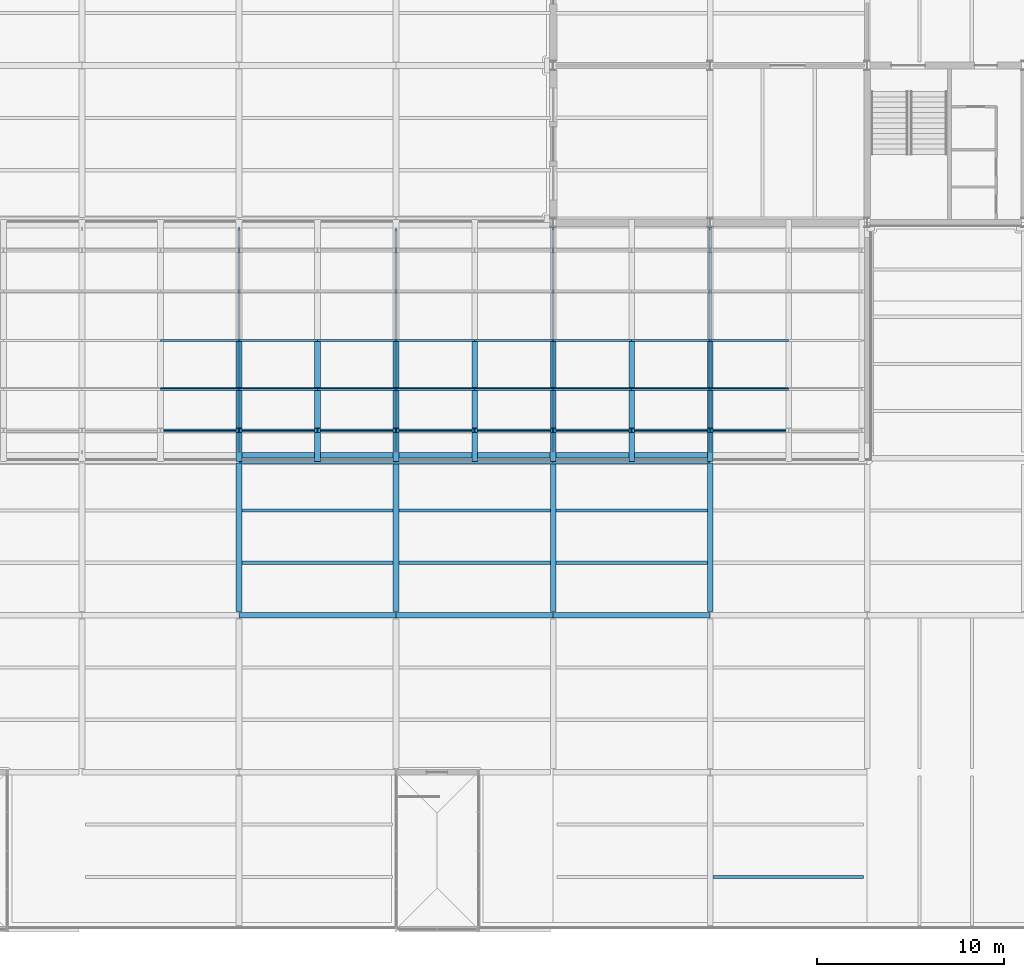
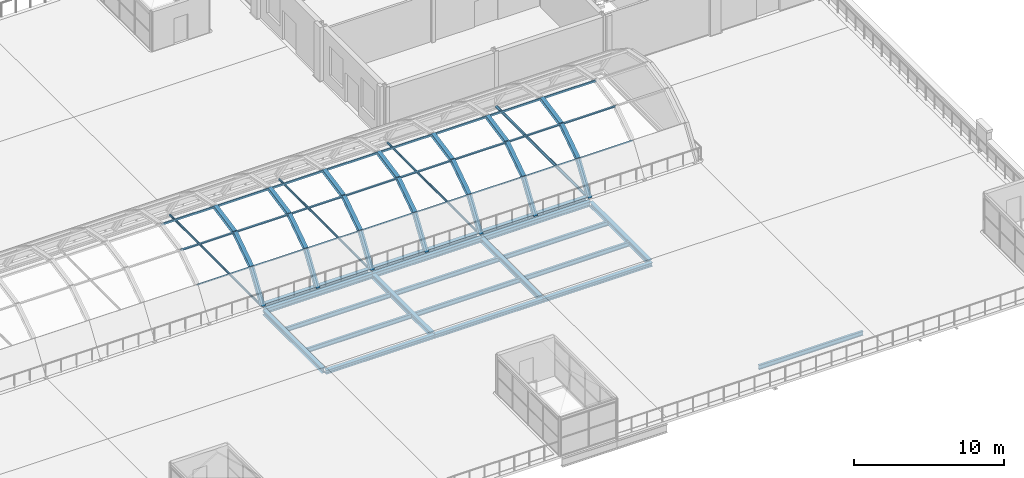
# One storey, part 24 of 58: 49 members, 20 beams.
"""IFC4 building model written with IfcOpenShell, lengths in metres."""

from ifc_helpers import new_model, si_unit, direction, frame, origin, origin_2d, place, context, subcontext, project, spatial, hollow_rectangle, hollow_circle, i_section, extrude, material, material_profile, profile_set, type_object, element, save


model = new_model("IFC4")

# Units and contexts
model_context = context("Model", 3, precision=1e-05, world=origin(), true_north=direction((0.0, 1.0)))
body_context = subcontext(model_context, "Body", "Model", "MODEL_VIEW")
ifc_project = project(units=[si_unit("LENGTHUNIT", "METRE"), si_unit("AREAUNIT", "SQUARE_METRE"), si_unit("VOLUMEUNIT", "CUBIC_METRE"), si_unit("PLANEANGLEUNIT", "RADIAN"), si_unit("MASSUNIT", "GRAM", prefix="KILO")], contexts=[model_context])

# Site, building, storey
site_placement = place(None, origin())
site = spatial("IfcSite", under=ifc_project, at=site_placement, CompositionType="ELEMENT")
building_placement = place(site_placement, origin())
building = spatial("IfcBuilding", under=site, at=building_placement, Name="Galleria Vessillo Department Store", CompositionType="ELEMENT")
storey_placement = place(building_placement, frame((0.0, 0.0, 31.199951171875)))
storey = spatial("IfcBuildingStorey", under=building, at=storey_placement, Name="L06", CompositionType="ELEMENT", Elevation=31.199951171875)

# Beams
ifc_material_1 = material(Name="Steel S355 J2", Category="steel")
ifc_material_profile_1 = material_profile(ifc_material_1, i_section(OverallWidth=0.300048828125, OverallDepth=0.389892578125, WebThickness=0.010986328125, FlangeThickness=0.01904296875, FilletRadius=0.027099609375, at=origin_2d()), Name="HEA 400")
ifc_profile_set_1 = profile_set([ifc_material_profile_1], Name="Steel S355 J2")
beam_type_1 = type_object("IfcBeamType", Name="Floor girder HEA 400", PredefinedType="BEAM", material=ifc_profile_set_1)
beam_1_placement = place(storey_placement, frame((67.199951171875, 17.000244140625, -0.39501953125), z_axis=(0.0, 1.0, 0.0), x_axis=(-1.0, 0.0, 0.0)))
element("IfcBeam", 1, at=beam_1_placement, inside=storey, type_object=beam_type_1, Name="S-BM-L06-GI-y67200-17000", PredefinedType="BEAM", context=body_context, shape_type="SweptSolid", body=[
    extrude(i_section(OverallWidth=0.300048828125, OverallDepth=0.389892578125, WebThickness=0.010986328125, FlangeThickness=0.01904296875, FilletRadius=0.027099609375, at=origin_2d()), origin(), (0.0, 0.0, 1.0), 7.937744140625),
])
for number, where, z_axis, x_axis, name in (
    (2, (75.60009765625, 17.000244140625, -0.39501953125), (0.0, 1.0, 0.0), (-1.0, 0.0, 0.0), "S-BM-L06-GI-y75600-17000"),
    (3, (84.0, 17.000244140625, -0.39501953125), (0.0, 1.0, 0.0), (-1.0, 0.0, 0.0), "S-BM-L06-GI-y84000-17000"),
):
    element("IfcBeam", number, at=place(storey_placement, frame(where, z_axis=z_axis, x_axis=x_axis)), inside=storey, type_object=beam_type_1, Name=name, PredefinedType="BEAM", context=body_context, shape_type="SweptSolid", body=[
        extrude(i_section(OverallWidth=0.300048828125, OverallDepth=0.389892578125, WebThickness=0.010986328125, FlangeThickness=0.01904296875, FilletRadius=0.027099609375, at=origin_2d()), origin(), (0.0, 0.0, 1.0), 7.8896484375),
    ])
beam_2_placement = place(storey_placement, frame((92.39990234375, 17.000244140625, -0.39501953125), z_axis=(0.0, 1.0, 0.0), x_axis=(-1.0, 0.0, 0.0)))
element("IfcBeam", 4, at=beam_2_placement, inside=storey, type_object=beam_type_1, Name="S-BM-L06-GI-y92400-17000", PredefinedType="BEAM", context=body_context, shape_type="SweptSolid", body=[
    extrude(i_section(OverallWidth=0.300048828125, OverallDepth=0.389892578125, WebThickness=0.010986328125, FlangeThickness=0.01904296875, FilletRadius=0.027099609375, at=origin_2d()), origin(), (0.0, 0.0, 1.0), 7.937744140625),
])
ifc_material_2 = material(Name="Steel S355 J2", Category="steel")
ifc_material_profile_2 = material_profile(ifc_material_2, i_section(OverallWidth=0.169921875, OverallDepth=0.360107421875, WebThickness=0.008056640625, FlangeThickness=0.0126953125, FilletRadius=0.01806640625, at=origin_2d()), Name="IPE 360")
ifc_profile_set_2 = profile_set([ifc_material_profile_2], Name="Steel S355 J2")
beam_type_2 = type_object("IfcBeamType", Name="Floor joist IPE 360", PredefinedType="JOIST", material=ifc_profile_set_2)
for number, where, z_axis, x_axis, name in (
    (5, (67.35009765625, 19.60009765625, -0.3798828125), (1.0, 0.0, 0.0), (0.0, 1.0, 0.0), "S-BM-L06-JO-x19600-67350"),
    (6, (67.35009765625, 22.39990234375, -0.3798828125), (1.0, 0.0, 0.0), (0.0, 1.0, 0.0), "S-BM-L06-JO-x22400-67350"),
):
    element("IfcBeam", number, at=place(storey_placement, frame(where, z_axis=z_axis, x_axis=x_axis)), inside=storey, type_object=beam_type_2, Name=name, PredefinedType="JOIST", context=body_context, shape_type="SweptSolid", body=[
        extrude(i_section(OverallWidth=0.169921875, OverallDepth=0.360107421875, WebThickness=0.008056640625, FlangeThickness=0.0126953125, FilletRadius=0.01806640625, at=origin_2d()), origin(), (0.0, 0.0, 1.0), 8.099853515625),
    ])
for number, where, z_axis, x_axis, name in (
    (7, (75.750244140625, 19.60009765625, -0.3798828125), (1.0, 0.0, 0.0), (0.0, 1.0, 0.0), "S-BM-L06-JO-x19600-75750"),
    (8, (75.750244140625, 22.39990234375, -0.3798828125), (1.0, 0.0, 0.0), (0.0, 1.0, 0.0), "S-BM-L06-JO-x22400-75750"),
    (9, (84.150146484375, 19.60009765625, -0.3798828125), (1.0, 0.0, 0.0), (0.0, 1.0, 0.0), "S-BM-L06-JO-x19600-84150"),
    (10, (84.150146484375, 22.39990234375, -0.3798828125), (1.0, 0.0, 0.0), (0.0, 1.0, 0.0), "S-BM-L06-JO-x22400-84150"),
):
    element("IfcBeam", number, at=place(storey_placement, frame(where, z_axis=z_axis, x_axis=x_axis)), inside=storey, type_object=beam_type_2, Name=name, PredefinedType="JOIST", context=body_context, shape_type="SweptSolid", body=[
        extrude(i_section(OverallWidth=0.169921875, OverallDepth=0.360107421875, WebThickness=0.008056640625, FlangeThickness=0.0126953125, FilletRadius=0.01806640625, at=origin_2d()), origin(), (0.0, 0.0, 1.0), 8.099609375),
    ])
beam_3_placement = place(storey_placement, frame((92.550048828125, 2.800048828125, -0.3798828125), z_axis=(1.0, 0.0, 0.0), x_axis=(0.0, 1.0, 0.0)))
element("IfcBeam", 11, at=beam_3_placement, inside=storey, type_object=beam_type_2, Name="S-BM-L06-JO-x2800-92550", PredefinedType="JOIST", context=body_context, shape_type="SweptSolid", body=[
    extrude(i_section(OverallWidth=0.169921875, OverallDepth=0.360107421875, WebThickness=0.008056640625, FlangeThickness=0.0126953125, FilletRadius=0.01806640625, at=origin_2d()), origin(), (0.0, 0.0, 1.0), 8.0498046875),
])
ifc_material_3 = material(Name="Steel S355 J2", Category="steel")
ifc_material_profile_3 = material_profile(ifc_material_3, i_section(OverallWidth=0.300048828125, OverallDepth=0.31005859375, WebThickness=0.009033203125, FlangeThickness=0.015380859375, FilletRadius=0.027099609375, at=origin_2d()), Name="HEA 320")
ifc_profile_set_3 = profile_set([ifc_material_profile_3], Name="Steel S355 J2")
beam_type_3 = type_object("IfcBeamType", Name="Floor tie girder HEA 320", PredefinedType="BEAM", material=ifc_profile_set_3)
for number, where, z_axis, x_axis, name in (
    (12, (67.206787109375, 16.800048828125, -0.35498046875), (1.0, 0.0, 0.0), (0.0, 1.0, 0.0), "S-BM-L06-TI-x16800-67207"),
    (13, (75.60693359375, 16.800048828125, -0.35498046875), (1.0, 0.0, 0.0), (0.0, 1.0, 0.0), "S-BM-L06-TI-x16800-75607"),
    (14, (84.0068359375, 16.800048828125, -0.35498046875), (1.0, 0.0, 0.0), (0.0, 1.0, 0.0), "S-BM-L06-TI-x16800-84007"),
):
    element("IfcBeam", number, at=place(storey_placement, frame(where, z_axis=z_axis, x_axis=x_axis)), inside=storey, type_object=beam_type_3, Name=name, PredefinedType="BEAM", context=body_context, shape_type="SweptSolid", body=[
        extrude(i_section(OverallWidth=0.300048828125, OverallDepth=0.31005859375, WebThickness=0.009033203125, FlangeThickness=0.015380859375, FilletRadius=0.027099609375, at=origin_2d()), origin(), (0.0, 0.0, 1.0), 8.38623046875),
    ])
ifc_material_4 = material(Name="Steel S355 J2", Category="steel")
ifc_material_profile_4 = material_profile(ifc_material_4, i_section(OverallWidth=0.300048828125, OverallDepth=0.389892578125, WebThickness=0.010986328125, FlangeThickness=0.01904296875, FilletRadius=0.027099609375, at=origin_2d()), Name="HEA 400")
ifc_profile_set_4 = profile_set([ifc_material_profile_4], Name="Steel S355 J2")
beam_type_4 = type_object("IfcBeamType", Name="Trimmer beam HEA 400", PredefinedType="BEAM", material=ifc_profile_set_4)
for number, where, z_axis, x_axis, name in (
    (15, (67.210693359375, 25.050048828125, -0.39501953125), (1.0, 0.0, 0.0), (0.0, 1.0, 0.0), "S-BM-L06-TR-x25050-67211"),
    (16, (75.610595703125, 25.050048828125, -0.39501953125), (1.0, 0.0, 0.0), (0.0, 1.0, 0.0), "S-BM-L06-TR-x25050-75611"),
    (17, (84.0107421875, 25.050048828125, -0.39501953125), (1.0, 0.0, 0.0), (0.0, 1.0, 0.0), "S-BM-L06-TR-x25050-84011"),
):
    element("IfcBeam", number, at=place(storey_placement, frame(where, z_axis=z_axis, x_axis=x_axis)), inside=storey, type_object=beam_type_4, Name=name, PredefinedType="BEAM", context=body_context, shape_type="SweptSolid", body=[
        extrude(i_section(OverallWidth=0.300048828125, OverallDepth=0.389892578125, WebThickness=0.010986328125, FlangeThickness=0.01904296875, FilletRadius=0.027099609375, at=origin_2d()), origin(), (0.0, 0.0, 1.0), 8.378662109375),
    ])

# Members
ifc_material_5 = material(Name="Steel S355 J2", Category="steel")
ifc_material_profile_5 = material_profile(ifc_material_5, hollow_rectangle(XDim=0.10009765625, YDim=0.14990234375, WallThickness=0.008056640625, at=origin_2d()), Name="RHS 150x100x8")
ifc_profile_set_5 = profile_set([ifc_material_profile_5], Name="Steel S355 J2")
member_type_1 = type_object("IfcMemberType", Name="Vault purlin RHS 150x100x8", PredefinedType="PURLIN", material=ifc_profile_set_5)
for number, where, z_axis, x_axis, name in (
    (18, (63.004150390625, 26.6806640625, 2.207763671875), (1.0, 0.0, 0.0), (0.0, 0.708077368705, 0.70613485959), "S-VP-1-12"),
    (19, (67.2041015625, 26.6806640625, 2.207763671875), (1.0, 0.0, 0.0), (0.0, 0.708077368705, 0.70613485959), "S-VP-1-13"),
):
    element("IfcMember", number, at=place(storey_placement, frame(where, z_axis=z_axis, x_axis=x_axis)), inside=storey, type_object=member_type_1, Name=name, PredefinedType="PURLIN", context=body_context, shape_type="SweptSolid", body=[
        extrude(hollow_rectangle(XDim=0.10009765625, YDim=0.14990234375, WallThickness=0.008056640625, at=origin_2d()), origin(), (0.0, 0.0, 1.0), 4.191650390625),
    ])
member_1_placement = place(storey_placement, frame((71.404052734375, 26.6806640625, 2.207763671875), z_axis=(1.0, 0.0, 0.0), x_axis=(0.0, 0.708077368705, 0.70613485959)))
element("IfcMember", 20, at=member_1_placement, inside=storey, type_object=member_type_1, Name="S-VP-1-14", PredefinedType="PURLIN", context=body_context, shape_type="SweptSolid", body=[
    extrude(hollow_rectangle(XDim=0.10009765625, YDim=0.14990234375, WallThickness=0.008056640625, at=origin_2d()), origin(), (0.0, 0.0, 1.0), 4.19189453125),
])
for number, where, z_axis, x_axis, name in (
    (21, (75.604248046875, 26.6806640625, 2.207763671875), (1.0, 0.0, 0.0), (0.0, 0.708077368705, 0.70613485959), "S-VP-1-15"),
    (22, (79.80419921875, 26.6806640625, 2.207763671875), (1.0, 0.0, 0.0), (0.0, 0.708077368705, 0.70613485959), "S-VP-1-16"),
    (23, (84.004150390625, 26.6806640625, 2.207763671875), (1.0, 0.0, 0.0), (0.0, 0.708077368705, 0.70613485959), "S-VP-1-17"),
    (24, (88.2041015625, 26.6806640625, 2.207763671875), (1.0, 0.0, 0.0), (0.0, 0.708077368705, 0.70613485959), "S-VP-1-18"),
):
    element("IfcMember", number, at=place(storey_placement, frame(where, z_axis=z_axis, x_axis=x_axis)), inside=storey, type_object=member_type_1, Name=name, PredefinedType="PURLIN", context=body_context, shape_type="SweptSolid", body=[
        extrude(hollow_rectangle(XDim=0.10009765625, YDim=0.14990234375, WallThickness=0.008056640625, at=origin_2d()), origin(), (0.0, 0.0, 1.0), 4.191650390625),
    ])
member_2_placement = place(storey_placement, frame((92.404052734375, 26.6806640625, 2.207763671875), z_axis=(1.0, 0.0, 0.0), x_axis=(0.0, 0.708077368705, 0.70613485959)))
element("IfcMember", 25, at=member_2_placement, inside=storey, type_object=member_type_1, Name="S-VP-1-19", PredefinedType="PURLIN", context=body_context, shape_type="SweptSolid", body=[
    extrude(hollow_rectangle(XDim=0.10009765625, YDim=0.14990234375, WallThickness=0.008056640625, at=origin_2d()), origin(), (0.0, 0.0, 1.0), 4.19189453125),
])
for number, where, z_axis, x_axis, name in (
    (26, (63.004150390625, 28.892578125, 3.682373046875), (1.0, 0.0, 0.0), (0.0, 0.924144726715, 0.38204256842), "S-VP-2-12"),
    (27, (67.2041015625, 28.892578125, 3.682373046875), (1.0, 0.0, 0.0), (0.0, 0.924144726715, 0.38204256842), "S-VP-2-13"),
):
    element("IfcMember", number, at=place(storey_placement, frame(where, z_axis=z_axis, x_axis=x_axis)), inside=storey, type_object=member_type_1, Name=name, PredefinedType="PURLIN", context=body_context, shape_type="SweptSolid", body=[
        extrude(hollow_rectangle(XDim=0.10009765625, YDim=0.14990234375, WallThickness=0.008056640625, at=origin_2d()), origin(), (0.0, 0.0, 1.0), 4.191650390625),
    ])
member_3_placement = place(storey_placement, frame((71.404052734375, 28.892578125, 3.682373046875), z_axis=(1.0, 0.0, 0.0), x_axis=(0.0, 0.924144726715, 0.38204256842)))
element("IfcMember", 28, at=member_3_placement, inside=storey, type_object=member_type_1, Name="S-VP-2-14", PredefinedType="PURLIN", context=body_context, shape_type="SweptSolid", body=[
    extrude(hollow_rectangle(XDim=0.10009765625, YDim=0.14990234375, WallThickness=0.008056640625, at=origin_2d()), origin(), (0.0, 0.0, 1.0), 4.19189453125),
])
for number, where, z_axis, x_axis, name in (
    (29, (75.604248046875, 28.892578125, 3.682373046875), (1.0, 0.0, 0.0), (0.0, 0.924144726715, 0.38204256842), "S-VP-2-15"),
    (30, (79.80419921875, 28.892578125, 3.682373046875), (1.0, 0.0, 0.0), (0.0, 0.924144726715, 0.38204256842), "S-VP-2-16"),
    (31, (84.004150390625, 28.892578125, 3.682373046875), (1.0, 0.0, 0.0), (0.0, 0.924144726715, 0.38204256842), "S-VP-2-17"),
    (32, (88.2041015625, 28.892578125, 3.682373046875), (1.0, 0.0, 0.0), (0.0, 0.924144726715, 0.38204256842), "S-VP-2-18"),
):
    element("IfcMember", number, at=place(storey_placement, frame(where, z_axis=z_axis, x_axis=x_axis)), inside=storey, type_object=member_type_1, Name=name, PredefinedType="PURLIN", context=body_context, shape_type="SweptSolid", body=[
        extrude(hollow_rectangle(XDim=0.10009765625, YDim=0.14990234375, WallThickness=0.008056640625, at=origin_2d()), origin(), (0.0, 0.0, 1.0), 4.191650390625),
    ])
member_4_placement = place(storey_placement, frame((92.404052734375, 28.892578125, 3.682373046875), z_axis=(1.0, 0.0, 0.0), x_axis=(0.0, 0.924144726715, 0.38204256842)))
element("IfcMember", 33, at=member_4_placement, inside=storey, type_object=member_type_1, Name="S-VP-2-19", PredefinedType="PURLIN", context=body_context, shape_type="SweptSolid", body=[
    extrude(hollow_rectangle(XDim=0.10009765625, YDim=0.14990234375, WallThickness=0.008056640625, at=origin_2d()), origin(), (0.0, 0.0, 1.0), 4.19189453125),
])
for number, where, z_axis, x_axis, name in (
    (34, (63.004150390625, 31.5, 4.199951171875), (1.0, 0.0, 0.0), (0.0, 1.0, 0.0), "S-VP-3-12"),
    (35, (67.2041015625, 31.5, 4.199951171875), (1.0, 0.0, 0.0), (0.0, 1.0, 0.0), "S-VP-3-13"),
):
    element("IfcMember", number, at=place(storey_placement, frame(where, z_axis=z_axis, x_axis=x_axis)), inside=storey, type_object=member_type_1, Name=name, PredefinedType="PURLIN", context=body_context, shape_type="SweptSolid", body=[
        extrude(hollow_rectangle(XDim=0.10009765625, YDim=0.14990234375, WallThickness=0.008056640625, at=origin_2d()), origin(), (0.0, 0.0, 1.0), 4.191650390625),
    ])
member_5_placement = place(storey_placement, frame((71.404052734375, 31.5, 4.199951171875), z_axis=(1.0, 0.0, 0.0), x_axis=(0.0, 1.0, 0.0)))
element("IfcMember", 36, at=member_5_placement, inside=storey, type_object=member_type_1, Name="S-VP-3-14", PredefinedType="PURLIN", context=body_context, shape_type="SweptSolid", body=[
    extrude(hollow_rectangle(XDim=0.10009765625, YDim=0.14990234375, WallThickness=0.008056640625, at=origin_2d()), origin(), (0.0, 0.0, 1.0), 4.19189453125),
])
for number, where, z_axis, x_axis, name in (
    (37, (75.604248046875, 31.5, 4.199951171875), (1.0, 0.0, 0.0), (0.0, 1.0, 0.0), "S-VP-3-15"),
    (38, (79.80419921875, 31.5, 4.199951171875), (1.0, 0.0, 0.0), (0.0, 1.0, 0.0), "S-VP-3-16"),
    (39, (84.004150390625, 31.5, 4.199951171875), (1.0, 0.0, 0.0), (0.0, 1.0, 0.0), "S-VP-3-17"),
    (40, (88.2041015625, 31.5, 4.199951171875), (1.0, 0.0, 0.0), (0.0, 1.0, 0.0), "S-VP-3-18"),
):
    element("IfcMember", number, at=place(storey_placement, frame(where, z_axis=z_axis, x_axis=x_axis)), inside=storey, type_object=member_type_1, Name=name, PredefinedType="PURLIN", context=body_context, shape_type="SweptSolid", body=[
        extrude(hollow_rectangle(XDim=0.10009765625, YDim=0.14990234375, WallThickness=0.008056640625, at=origin_2d()), origin(), (0.0, 0.0, 1.0), 4.191650390625),
    ])
member_6_placement = place(storey_placement, frame((92.404052734375, 31.5, 4.199951171875), z_axis=(1.0, 0.0, 0.0), x_axis=(0.0, 1.0, 0.0)))
element("IfcMember", 41, at=member_6_placement, inside=storey, type_object=member_type_1, Name="S-VP-3-19", PredefinedType="PURLIN", context=body_context, shape_type="SweptSolid", body=[
    extrude(hollow_rectangle(XDim=0.10009765625, YDim=0.14990234375, WallThickness=0.008056640625, at=origin_2d()), origin(), (0.0, 0.0, 1.0), 4.19189453125),
])
ifc_material_6 = material(Name="Steel S355 J2", Category="steel")
ifc_material_profile_6 = material_profile(ifc_material_6, i_section(OverallWidth=0.300048828125, OverallDepth=0.2900390625, WebThickness=0.008544921875, FlangeThickness=0.013916015625, FilletRadius=0.027099609375, at=origin_2d()), Name="HEA 300")
ifc_profile_set_6 = profile_set([ifc_material_profile_6], Name="Steel S355 J2")
member_type_2 = type_object("IfcMemberType", Name="Vault rib HEA 300", PredefinedType="RAFTER", material=ifc_profile_set_6)
member_7_placement = place(storey_placement, frame((67.199951171875, 25.145751953125, -0.080810546875), z_axis=(0.0, 0.557008391095, 0.830506864661), x_axis=(-1.0, 0.0, 0.0)))
element("IfcMember", 42, at=member_7_placement, inside=storey, type_object=member_type_2, Name="S-VR-13-1", PredefinedType="RAFTER", context=body_context, shape_type="SweptSolid", body=[
    extrude(i_section(OverallWidth=0.300048828125, OverallDepth=0.2900390625, WebThickness=0.008544921875, FlangeThickness=0.013916015625, FilletRadius=0.027099609375, at=origin_2d()), origin(), (0.0, 0.0, 1.0), 2.755615234375),
])
member_8_placement = place(storey_placement, frame((67.199951171875, 26.6806640625, 2.207763671875), z_axis=(0.0, 0.832050294338, 0.554700196225), x_axis=(-1.0, 0.0, 0.0)))
element("IfcMember", 43, at=member_8_placement, inside=storey, type_object=member_type_2, Name="S-VR-13-2", PredefinedType="RAFTER", context=body_context, shape_type="SweptSolid", body=[
    extrude(i_section(OverallWidth=0.300048828125, OverallDepth=0.2900390625, WebThickness=0.008544921875, FlangeThickness=0.013916015625, FilletRadius=0.027099609375, at=origin_2d()), origin(), (0.0, 0.0, 1.0), 2.658447265625),
])
member_9_placement = place(storey_placement, frame((67.199951171875, 28.892578125, 3.682373046875), z_axis=(0.0, 0.980862245521, 0.194702992557), x_axis=(-1.0, 0.0, 0.0)))
element("IfcMember", 44, at=member_9_placement, inside=storey, type_object=member_type_2, Name="S-VR-13-3", PredefinedType="RAFTER", context=body_context, shape_type="SweptSolid", body=[
    extrude(i_section(OverallWidth=0.300048828125, OverallDepth=0.2900390625, WebThickness=0.008544921875, FlangeThickness=0.013916015625, FilletRadius=0.027099609375, at=origin_2d()), origin(), (0.0, 0.0, 1.0), 2.658203125),
])
member_10_placement = place(storey_placement, frame((71.39990234375, 25.145751953125, -0.080810546875), z_axis=(0.0, 0.557008391095, 0.830506864661), x_axis=(-1.0, 0.0, 0.0)))
element("IfcMember", 45, at=member_10_placement, inside=storey, type_object=member_type_2, Name="S-VR-14-1", PredefinedType="RAFTER", context=body_context, shape_type="SweptSolid", body=[
    extrude(i_section(OverallWidth=0.300048828125, OverallDepth=0.2900390625, WebThickness=0.008544921875, FlangeThickness=0.013916015625, FilletRadius=0.027099609375, at=origin_2d()), origin(), (0.0, 0.0, 1.0), 2.755615234375),
])
member_11_placement = place(storey_placement, frame((71.39990234375, 26.6806640625, 2.207763671875), z_axis=(0.0, 0.832050294338, 0.554700196225), x_axis=(-1.0, 0.0, 0.0)))
element("IfcMember", 46, at=member_11_placement, inside=storey, type_object=member_type_2, Name="S-VR-14-2", PredefinedType="RAFTER", context=body_context, shape_type="SweptSolid", body=[
    extrude(i_section(OverallWidth=0.300048828125, OverallDepth=0.2900390625, WebThickness=0.008544921875, FlangeThickness=0.013916015625, FilletRadius=0.027099609375, at=origin_2d()), origin(), (0.0, 0.0, 1.0), 2.658447265625),
])
member_12_placement = place(storey_placement, frame((71.39990234375, 28.892578125, 3.682373046875), z_axis=(0.0, 0.980862245521, 0.194702992557), x_axis=(-1.0, 0.0, 0.0)))
element("IfcMember", 47, at=member_12_placement, inside=storey, type_object=member_type_2, Name="S-VR-14-3", PredefinedType="RAFTER", context=body_context, shape_type="SweptSolid", body=[
    extrude(i_section(OverallWidth=0.300048828125, OverallDepth=0.2900390625, WebThickness=0.008544921875, FlangeThickness=0.013916015625, FilletRadius=0.027099609375, at=origin_2d()), origin(), (0.0, 0.0, 1.0), 2.658203125),
])
member_13_placement = place(storey_placement, frame((75.60009765625, 25.145751953125, -0.080810546875), z_axis=(0.0, 0.557008391095, 0.830506864661), x_axis=(-1.0, 0.0, 0.0)))
element("IfcMember", 48, at=member_13_placement, inside=storey, type_object=member_type_2, Name="S-VR-15-1", PredefinedType="RAFTER", context=body_context, shape_type="SweptSolid", body=[
    extrude(i_section(OverallWidth=0.300048828125, OverallDepth=0.2900390625, WebThickness=0.008544921875, FlangeThickness=0.013916015625, FilletRadius=0.027099609375, at=origin_2d()), origin(), (0.0, 0.0, 1.0), 2.755615234375),
])
member_14_placement = place(storey_placement, frame((75.60009765625, 26.6806640625, 2.207763671875), z_axis=(0.0, 0.832050294338, 0.554700196225), x_axis=(-1.0, 0.0, 0.0)))
element("IfcMember", 49, at=member_14_placement, inside=storey, type_object=member_type_2, Name="S-VR-15-2", PredefinedType="RAFTER", context=body_context, shape_type="SweptSolid", body=[
    extrude(i_section(OverallWidth=0.300048828125, OverallDepth=0.2900390625, WebThickness=0.008544921875, FlangeThickness=0.013916015625, FilletRadius=0.027099609375, at=origin_2d()), origin(), (0.0, 0.0, 1.0), 2.658447265625),
])
member_15_placement = place(storey_placement, frame((75.60009765625, 28.892578125, 3.682373046875), z_axis=(0.0, 0.980862245521, 0.194702992557), x_axis=(-1.0, 0.0, 0.0)))
element("IfcMember", 50, at=member_15_placement, inside=storey, type_object=member_type_2, Name="S-VR-15-3", PredefinedType="RAFTER", context=body_context, shape_type="SweptSolid", body=[
    extrude(i_section(OverallWidth=0.300048828125, OverallDepth=0.2900390625, WebThickness=0.008544921875, FlangeThickness=0.013916015625, FilletRadius=0.027099609375, at=origin_2d()), origin(), (0.0, 0.0, 1.0), 2.658203125),
])
member_16_placement = place(storey_placement, frame((79.800048828125, 25.145751953125, -0.080810546875), z_axis=(0.0, 0.557008391095, 0.830506864661), x_axis=(-1.0, 0.0, 0.0)))
element("IfcMember", 51, at=member_16_placement, inside=storey, type_object=member_type_2, Name="S-VR-16-1", PredefinedType="RAFTER", context=body_context, shape_type="SweptSolid", body=[
    extrude(i_section(OverallWidth=0.300048828125, OverallDepth=0.2900390625, WebThickness=0.008544921875, FlangeThickness=0.013916015625, FilletRadius=0.027099609375, at=origin_2d()), origin(), (0.0, 0.0, 1.0), 2.755615234375),
])
member_17_placement = place(storey_placement, frame((79.800048828125, 26.6806640625, 2.207763671875), z_axis=(0.0, 0.832050294338, 0.554700196225), x_axis=(-1.0, 0.0, 0.0)))
element("IfcMember", 52, at=member_17_placement, inside=storey, type_object=member_type_2, Name="S-VR-16-2", PredefinedType="RAFTER", context=body_context, shape_type="SweptSolid", body=[
    extrude(i_section(OverallWidth=0.300048828125, OverallDepth=0.2900390625, WebThickness=0.008544921875, FlangeThickness=0.013916015625, FilletRadius=0.027099609375, at=origin_2d()), origin(), (0.0, 0.0, 1.0), 2.658447265625),
])
member_18_placement = place(storey_placement, frame((79.800048828125, 28.892578125, 3.682373046875), z_axis=(0.0, 0.980862245521, 0.194702992557), x_axis=(-1.0, 0.0, 0.0)))
element("IfcMember", 53, at=member_18_placement, inside=storey, type_object=member_type_2, Name="S-VR-16-3", PredefinedType="RAFTER", context=body_context, shape_type="SweptSolid", body=[
    extrude(i_section(OverallWidth=0.300048828125, OverallDepth=0.2900390625, WebThickness=0.008544921875, FlangeThickness=0.013916015625, FilletRadius=0.027099609375, at=origin_2d()), origin(), (0.0, 0.0, 1.0), 2.658203125),
])
member_19_placement = place(storey_placement, frame((84.0, 25.145751953125, -0.080810546875), z_axis=(0.0, 0.557008391095, 0.830506864661), x_axis=(-1.0, 0.0, 0.0)))
element("IfcMember", 54, at=member_19_placement, inside=storey, type_object=member_type_2, Name="S-VR-17-1", PredefinedType="RAFTER", context=body_context, shape_type="SweptSolid", body=[
    extrude(i_section(OverallWidth=0.300048828125, OverallDepth=0.2900390625, WebThickness=0.008544921875, FlangeThickness=0.013916015625, FilletRadius=0.027099609375, at=origin_2d()), origin(), (0.0, 0.0, 1.0), 2.755615234375),
])
member_20_placement = place(storey_placement, frame((84.0, 26.6806640625, 2.207763671875), z_axis=(0.0, 0.832050294338, 0.554700196225), x_axis=(-1.0, 0.0, 0.0)))
element("IfcMember", 55, at=member_20_placement, inside=storey, type_object=member_type_2, Name="S-VR-17-2", PredefinedType="RAFTER", context=body_context, shape_type="SweptSolid", body=[
    extrude(i_section(OverallWidth=0.300048828125, OverallDepth=0.2900390625, WebThickness=0.008544921875, FlangeThickness=0.013916015625, FilletRadius=0.027099609375, at=origin_2d()), origin(), (0.0, 0.0, 1.0), 2.658447265625),
])
member_21_placement = place(storey_placement, frame((84.0, 28.892578125, 3.682373046875), z_axis=(0.0, 0.980862245521, 0.194702992557), x_axis=(-1.0, 0.0, 0.0)))
element("IfcMember", 56, at=member_21_placement, inside=storey, type_object=member_type_2, Name="S-VR-17-3", PredefinedType="RAFTER", context=body_context, shape_type="SweptSolid", body=[
    extrude(i_section(OverallWidth=0.300048828125, OverallDepth=0.2900390625, WebThickness=0.008544921875, FlangeThickness=0.013916015625, FilletRadius=0.027099609375, at=origin_2d()), origin(), (0.0, 0.0, 1.0), 2.658203125),
])
member_22_placement = place(storey_placement, frame((88.199951171875, 25.145751953125, -0.080810546875), z_axis=(0.0, 0.557008391095, 0.830506864661), x_axis=(-1.0, 0.0, 0.0)))
element("IfcMember", 57, at=member_22_placement, inside=storey, type_object=member_type_2, Name="S-VR-18-1", PredefinedType="RAFTER", context=body_context, shape_type="SweptSolid", body=[
    extrude(i_section(OverallWidth=0.300048828125, OverallDepth=0.2900390625, WebThickness=0.008544921875, FlangeThickness=0.013916015625, FilletRadius=0.027099609375, at=origin_2d()), origin(), (0.0, 0.0, 1.0), 2.755615234375),
])
member_23_placement = place(storey_placement, frame((88.199951171875, 26.6806640625, 2.207763671875), z_axis=(0.0, 0.832050294338, 0.554700196225), x_axis=(-1.0, 0.0, 0.0)))
element("IfcMember", 58, at=member_23_placement, inside=storey, type_object=member_type_2, Name="S-VR-18-2", PredefinedType="RAFTER", context=body_context, shape_type="SweptSolid", body=[
    extrude(i_section(OverallWidth=0.300048828125, OverallDepth=0.2900390625, WebThickness=0.008544921875, FlangeThickness=0.013916015625, FilletRadius=0.027099609375, at=origin_2d()), origin(), (0.0, 0.0, 1.0), 2.658447265625),
])
member_24_placement = place(storey_placement, frame((88.199951171875, 28.892578125, 3.682373046875), z_axis=(0.0, 0.980862245521, 0.194702992557), x_axis=(-1.0, 0.0, 0.0)))
element("IfcMember", 59, at=member_24_placement, inside=storey, type_object=member_type_2, Name="S-VR-18-3", PredefinedType="RAFTER", context=body_context, shape_type="SweptSolid", body=[
    extrude(i_section(OverallWidth=0.300048828125, OverallDepth=0.2900390625, WebThickness=0.008544921875, FlangeThickness=0.013916015625, FilletRadius=0.027099609375, at=origin_2d()), origin(), (0.0, 0.0, 1.0), 2.658203125),
])
member_25_placement = place(storey_placement, frame((92.39990234375, 25.145751953125, -0.080810546875), z_axis=(0.0, 0.557008391095, 0.830506864661), x_axis=(-1.0, 0.0, 0.0)))
element("IfcMember", 60, at=member_25_placement, inside=storey, type_object=member_type_2, Name="S-VR-19-1", PredefinedType="RAFTER", context=body_context, shape_type="SweptSolid", body=[
    extrude(i_section(OverallWidth=0.300048828125, OverallDepth=0.2900390625, WebThickness=0.008544921875, FlangeThickness=0.013916015625, FilletRadius=0.027099609375, at=origin_2d()), origin(), (0.0, 0.0, 1.0), 2.755615234375),
])
member_26_placement = place(storey_placement, frame((92.39990234375, 26.6806640625, 2.207763671875), z_axis=(0.0, 0.832050294338, 0.554700196225), x_axis=(-1.0, 0.0, 0.0)))
element("IfcMember", 61, at=member_26_placement, inside=storey, type_object=member_type_2, Name="S-VR-19-2", PredefinedType="RAFTER", context=body_context, shape_type="SweptSolid", body=[
    extrude(i_section(OverallWidth=0.300048828125, OverallDepth=0.2900390625, WebThickness=0.008544921875, FlangeThickness=0.013916015625, FilletRadius=0.027099609375, at=origin_2d()), origin(), (0.0, 0.0, 1.0), 2.658447265625),
])
member_27_placement = place(storey_placement, frame((92.39990234375, 28.892578125, 3.682373046875), z_axis=(0.0, 0.980862245521, 0.194702992557), x_axis=(-1.0, 0.0, 0.0)))
element("IfcMember", 62, at=member_27_placement, inside=storey, type_object=member_type_2, Name="S-VR-19-3", PredefinedType="RAFTER", context=body_context, shape_type="SweptSolid", body=[
    extrude(i_section(OverallWidth=0.300048828125, OverallDepth=0.2900390625, WebThickness=0.008544921875, FlangeThickness=0.013916015625, FilletRadius=0.027099609375, at=origin_2d()), origin(), (0.0, 0.0, 1.0), 2.658203125),
])

# Beams
ifc_material_7 = material(Name="Steel S355 J2", Category="steel")
ifc_material_profile_7 = material_profile(ifc_material_7, i_section(OverallWidth=0.300048828125, OverallDepth=0.300048828125, WebThickness=0.010986328125, FlangeThickness=0.01904296875, FilletRadius=0.027099609375, at=origin_2d()), Name="HEB 300")
ifc_profile_set_7 = profile_set([ifc_material_profile_7], Name="Steel S355 J2")
beam_type_5 = type_object("IfcBeamType", Name="Vault springer beam HEB 300", PredefinedType="BEAM", material=ifc_profile_set_7)
beam_4_placement = place(storey_placement, frame((67.35302734375, 25.35009765625, -0.14990234375), z_axis=(1.0, 0.0, 0.0), x_axis=(0.0, 1.0, 0.0)))
element("IfcBeam", 63, at=beam_4_placement, inside=storey, type_object=beam_type_5, Name="S-VS-S-07", PredefinedType="BEAM", context=body_context, shape_type="SweptSolid", body=[
    extrude(i_section(OverallWidth=0.300048828125, OverallDepth=0.300048828125, WebThickness=0.010986328125, FlangeThickness=0.01904296875, FilletRadius=0.027099609375, at=origin_2d()), origin(), (0.0, 0.0, 1.0), 8.09423828125),
])
beam_5_placement = place(storey_placement, frame((75.752685546875, 25.35009765625, -0.14990234375), z_axis=(1.0, 0.0, 0.0), x_axis=(0.0, 1.0, 0.0)))
element("IfcBeam", 64, at=beam_5_placement, inside=storey, type_object=beam_type_5, Name="S-VS-S-08", PredefinedType="BEAM", context=body_context, shape_type="SweptSolid", body=[
    extrude(i_section(OverallWidth=0.300048828125, OverallDepth=0.300048828125, WebThickness=0.010986328125, FlangeThickness=0.01904296875, FilletRadius=0.027099609375, at=origin_2d()), origin(), (0.0, 0.0, 1.0), 8.0947265625),
])
beam_6_placement = place(storey_placement, frame((84.152587890625, 25.35009765625, -0.14990234375), z_axis=(1.0, 0.0, 0.0), x_axis=(0.0, 1.0, 0.0)))
element("IfcBeam", 65, at=beam_6_placement, inside=storey, type_object=beam_type_5, Name="S-VS-S-09", PredefinedType="BEAM", context=body_context, shape_type="SweptSolid", body=[
    extrude(i_section(OverallWidth=0.300048828125, OverallDepth=0.300048828125, WebThickness=0.010986328125, FlangeThickness=0.01904296875, FilletRadius=0.027099609375, at=origin_2d()), origin(), (0.0, 0.0, 1.0), 8.09423828125),
])

# Members
ifc_material_8 = material(Name="Steel S355 J2", Category="steel")
ifc_material_profile_8 = material_profile(ifc_material_8, hollow_circle(Radius=0.084228515625, WallThickness=0.008056640625, at=origin_2d()), Name="CHS 168.3x8")
ifc_profile_set_8 = profile_set([ifc_material_profile_8], Name="Steel S355 J2")
member_type_3 = type_object("IfcMemberType", Name="Vault tie rod CHS 168.3x8", PredefinedType="BRACE", material=ifc_profile_set_8)
member_28_placement = place(storey_placement, frame((67.199951171875, 25.462158203125, -0.14990234375), z_axis=(0.0, 1.0, 0.0), x_axis=(-1.0, 0.0, 0.0)))
element("IfcMember", 66, at=member_28_placement, inside=storey, type_object=member_type_3, Name="S-VT-0672", PredefinedType="BRACE", context=body_context, shape_type="SweptSolid", body=[
    extrude(hollow_circle(Radius=0.084228515625, WallThickness=0.008056640625, at=origin_2d()), origin(), (0.0, 0.0, 1.0), 12.07568359375),
])
member_29_placement = place(storey_placement, frame((75.60009765625, 25.51025390625, -0.14990234375), z_axis=(0.0, 1.0, 0.0), x_axis=(-1.0, 0.0, 0.0)))
element("IfcMember", 67, at=member_29_placement, inside=storey, type_object=member_type_3, Name="S-VT-0756", PredefinedType="BRACE", context=body_context, shape_type="SweptSolid", body=[
    extrude(hollow_circle(Radius=0.084228515625, WallThickness=0.008056640625, at=origin_2d()), origin(), (0.0, 0.0, 1.0), 11.9794921875),
])
member_30_placement = place(storey_placement, frame((84.0, 25.51025390625, -0.14990234375), z_axis=(0.0, 1.0, 0.0), x_axis=(-1.0, 0.0, 0.0)))
element("IfcMember", 68, at=member_30_placement, inside=storey, type_object=member_type_3, Name="S-VT-0840", PredefinedType="BRACE", context=body_context, shape_type="SweptSolid", body=[
    extrude(hollow_circle(Radius=0.084228515625, WallThickness=0.008056640625, at=origin_2d()), origin(), (0.0, 0.0, 1.0), 12.050537109375),
])
ifc_material_9 = material(Name="Steel S355 J2", Category="steel")
ifc_material_profile_9 = material_profile(ifc_material_9, hollow_circle(Radius=0.109619140625, WallThickness=0.010009765625, at=origin_2d()), Name="CHS 219.1x10")
ifc_profile_set_9 = profile_set([ifc_material_profile_9], Name="Steel S355 J2")
member_type_4 = type_object("IfcMemberType", Name="Vault tie rod CHS 219.1x10", PredefinedType="BRACE", material=ifc_profile_set_9)
member_31_placement = place(storey_placement, frame((92.39990234375, 25.462158203125, -0.14990234375), z_axis=(0.0, 1.0, 0.0), x_axis=(-1.0, 0.0, 0.0)))
element("IfcMember", 69, at=member_31_placement, inside=storey, type_object=member_type_4, Name="S-VT-0924", PredefinedType="BRACE", context=body_context, shape_type="SweptSolid", body=[
    extrude(hollow_circle(Radius=0.109619140625, WallThickness=0.010009765625, at=origin_2d()), origin(), (0.0, 0.0, 1.0), 12.0986328125),
])

save(model, "model.ifc")
